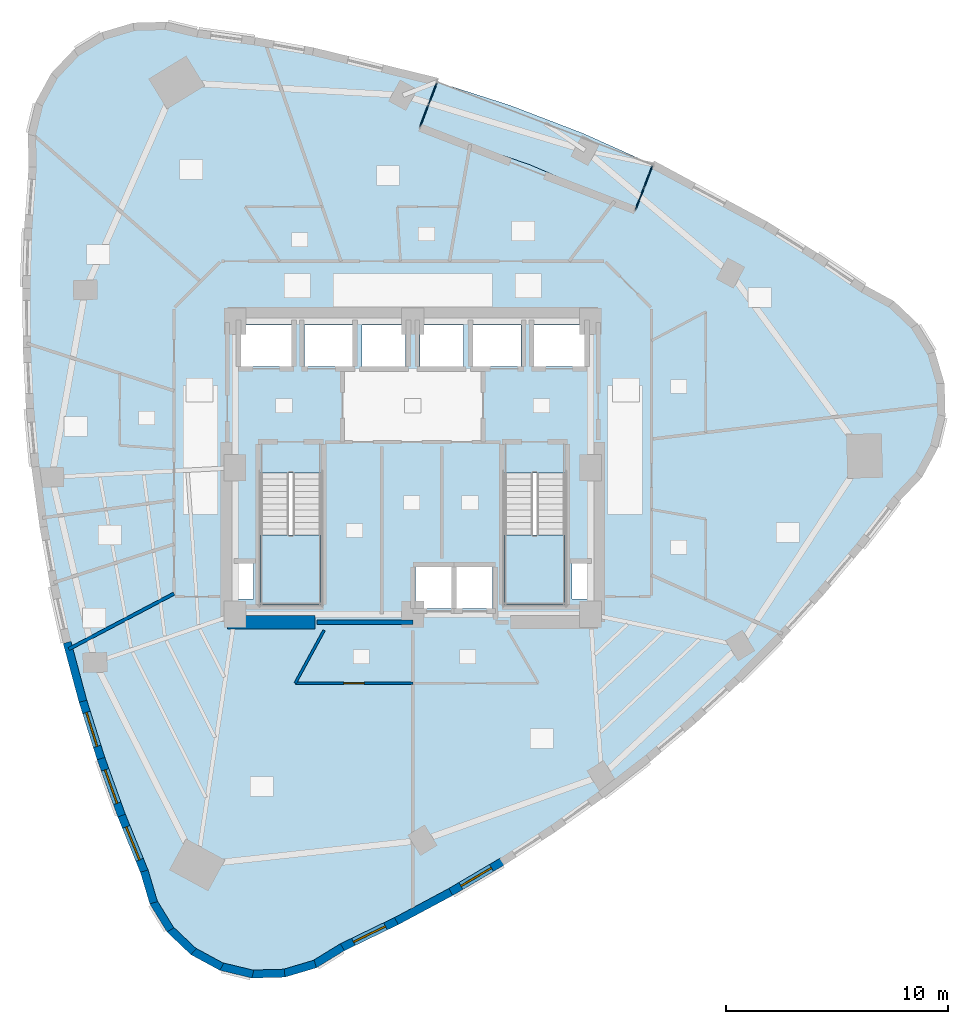
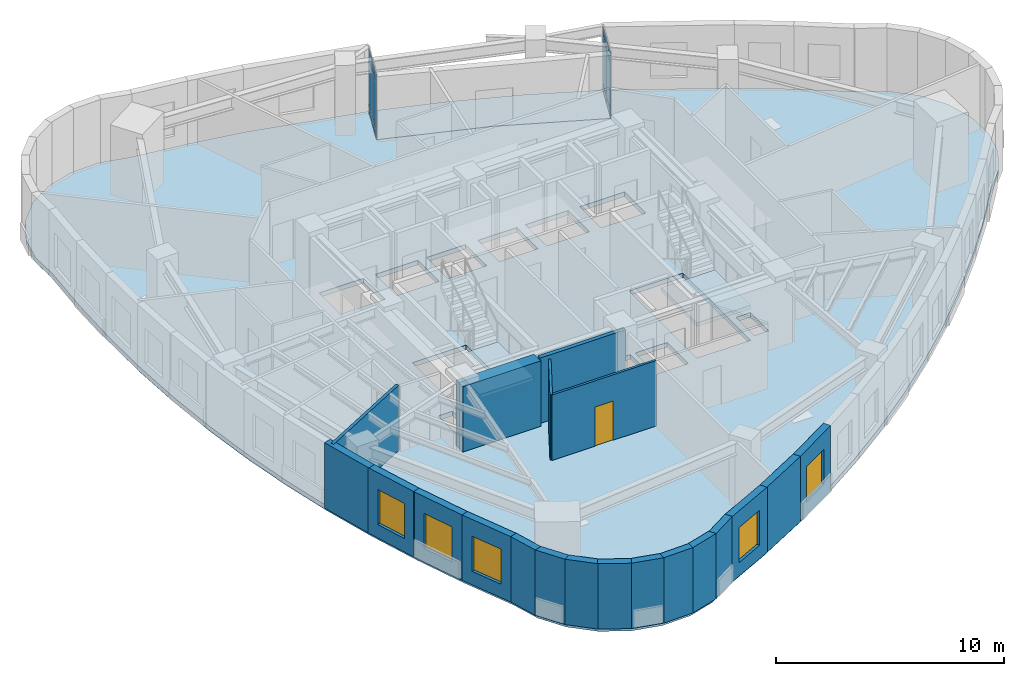
# One storey, part 5 of 12: 20 walls, 12 plates, 5 windows, 4 slabs, 1 door, 6 openings, 4 elements without a shape of their own.
"""IFC4 building model written with IfcOpenShell, lengths in metres."""

from ifc_helpers import new_model, si_unit, direction, frame, frame_2d, origin, origin_2d, place, context, subcontext, project, spatial, polyline, rectangle, outline, extrude, material, layer, layer_set, type_object, element, fill, aggregate, save


model = new_model("IFC4")

# Units and contexts
model_context = context("Model", 3, precision=1e-05, world=origin(), true_north=direction((0.0, 1.0)))
body_context = subcontext(model_context, "Body", "Model", "MODEL_VIEW")
ifc_project = project(units=[si_unit("LENGTHUNIT", "METRE"), si_unit("AREAUNIT", "SQUARE_METRE"), si_unit("VOLUMEUNIT", "CUBIC_METRE"), si_unit("PLANEANGLEUNIT", "RADIAN"), si_unit("MASSUNIT", "GRAM", prefix="KILO")], contexts=[model_context])

# Site, building, storey
site_placement = place(None, origin())
site = spatial("IfcSite", under=ifc_project, at=site_placement, CompositionType="ELEMENT")
building_placement = place(site_placement, origin())
building = spatial("IfcBuilding", under=site, at=building_placement, Name="Ndelora Gate Hotel", CompositionType="ELEMENT")
storey_placement = place(building_placement, frame((0.0, 0.0, 161.0)))
storey = spatial("IfcBuildingStorey", under=building, at=storey_placement, Name="L40", CompositionType="ELEMENT", Elevation=161.0)

# Curtain wall, plates
ifc_material_1 = material(Name="Bronze Anodised Unitised Aluminium and Low-E Glass", Category="aluminium")
ifc_layer_1 = layer(ifc_material_1, 0.199951171875)
ifc_layer_set_1 = layer_set([ifc_layer_1], Name="Bronze Anodised Unitised Aluminium and Low-E Glass")
curtain_wall_type = type_object("IfcCurtainWallType", Name="CW-SYS-3", PredefinedType="NOTDEFINED", material=ifc_layer_set_1)
curtain_wall_1_placement = place(storey_placement, origin())
curtain_wall_1 = element("IfcCurtainWall", 1, at=curtain_wall_1_placement, inside=storey, type_object=curtain_wall_type, Name="L40 Sky-Garden Loggia Side Curtain Wall CW3-1", PredefinedType="NOTDEFINED")
ifc_material_2 = material(Name="Solar-Control Low-E Insulated Glazing", Category="glass")
ifc_layer_2 = layer(ifc_material_2, 0.048095703125)
ifc_layer_set_2 = layer_set([ifc_layer_2], Name="Solar-Control Low-E Insulated Glazing")
plate_type = type_object("IfcPlateType", Name="PL-CW-GLZ36", PredefinedType="CURTAIN_PANEL", material=ifc_layer_set_2)
plate_1_placement = place(storey_placement, frame((10.2236328125, 12.123291015625, 0.05908203125), z_axis=(0.0, 0.0, 1.0), x_axis=(0.358360683234, 0.93358321574, 0.0)))
plate_1 = element("IfcPlate", 2, at=plate_1_placement, type_object=plate_type, Name="CW3 panel 1.1", PredefinedType="CURTAIN_PANEL", context=body_context, shape_type="SweptSolid", body=[
    extrude(rectangle(XDim=1.014404296875, YDim=0.048095703125, at=origin_2d()), origin(), (0.0, 0.0, 1.0), 0.364501953125),
])
plate_2_placement = place(storey_placement, frame((10.2236328125, 12.123291015625, 0.4765625), z_axis=(0.0, 0.0, 1.0), x_axis=(0.358360683234, 0.93358321574, 0.0)))
plate_2 = element("IfcPlate", 3, at=plate_2_placement, type_object=plate_type, Name="CW3 panel 1.2", PredefinedType="CURTAIN_PANEL", context=body_context, shape_type="SweptSolid", body=[
    extrude(rectangle(XDim=1.014404296875, YDim=0.048095703125, at=origin_2d()), origin(), (0.0, 0.0, 1.0), 2.447021484375),
])
plate_3_placement = place(storey_placement, frame((10.2236328125, 12.123291015625, 2.9765625), z_axis=(0.0, 0.0, 1.0), x_axis=(0.358360683234, 0.93358321574, 0.0)))
plate_3 = element("IfcPlate", 4, at=plate_3_placement, type_object=plate_type, Name="CW3 panel 1.3", PredefinedType="CURTAIN_PANEL", context=body_context, shape_type="SweptSolid", body=[
    extrude(rectangle(XDim=1.014404296875, YDim=0.048095703125, at=origin_2d()), origin(), (0.0, 0.0, 1.0), 0.464599609375),
])
plate_4_placement = place(storey_placement, frame((10.606201171875, 13.119873046875, 0.05908203125), z_axis=(0.0, 0.0, 1.0), x_axis=(0.358360683234, 0.93358321574, 0.0)))
plate_4 = element("IfcPlate", 5, at=plate_4_placement, type_object=plate_type, Name="CW3 panel 2.1", PredefinedType="CURTAIN_PANEL", context=body_context, shape_type="SweptSolid", body=[
    extrude(rectangle(XDim=1.014404296875, YDim=0.048095703125, at=origin_2d()), origin(), (0.0, 0.0, 1.0), 0.364501953125),
])
plate_5_placement = place(storey_placement, frame((10.606201171875, 13.119873046875, 0.4765625), z_axis=(0.0, 0.0, 1.0), x_axis=(0.358360683234, 0.93358321574, 0.0)))
plate_5 = element("IfcPlate", 6, at=plate_5_placement, type_object=plate_type, Name="CW3 panel 2.2", PredefinedType="CURTAIN_PANEL", context=body_context, shape_type="SweptSolid", body=[
    extrude(rectangle(XDim=1.014404296875, YDim=0.048095703125, at=origin_2d()), origin(), (0.0, 0.0, 1.0), 2.447021484375),
])
plate_6_placement = place(storey_placement, frame((10.606201171875, 13.119873046875, 2.9765625), z_axis=(0.0, 0.0, 1.0), x_axis=(0.358360683234, 0.93358321574, 0.0)))
plate_6 = element("IfcPlate", 7, at=plate_6_placement, type_object=plate_type, Name="CW3 panel 2.3", PredefinedType="CURTAIN_PANEL", context=body_context, shape_type="SweptSolid", body=[
    extrude(rectangle(XDim=1.014404296875, YDim=0.048095703125, at=origin_2d()), origin(), (0.0, 0.0, 1.0), 0.464599609375),
])
aggregate(curtain_wall_1, [plate_1, plate_2, plate_3, plate_4, plate_5, plate_6])

curtain_wall_2_placement = place(storey_placement, origin())
curtain_wall_2 = element("IfcCurtainWall", 8, at=curtain_wall_2_placement, inside=storey, type_object=curtain_wall_type, Name="L40 Sky-Garden Loggia Side Curtain Wall CW3-2", PredefinedType="NOTDEFINED")
plate_7_placement = place(storey_placement, frame((0.89697265625, 16.846923828125, 0.05908203125), z_axis=(0.0, 0.0, 1.0), x_axis=(-0.35837589096, -0.933577378035, 0.0)))
plate_7 = element("IfcPlate", 9, at=plate_7_placement, type_object=plate_type, Name="CW3 panel 1.1", PredefinedType="CURTAIN_PANEL", context=body_context, shape_type="SweptSolid", body=[
    extrude(rectangle(XDim=1.014404296875, YDim=0.048095703125, at=origin_2d()), origin(), (0.0, 0.0, 1.0), 0.364501953125),
])
plate_8_placement = place(storey_placement, frame((0.89697265625, 16.846923828125, 0.4765625), z_axis=(0.0, 0.0, 1.0), x_axis=(-0.35837589096, -0.933577378035, 0.0)))
plate_8 = element("IfcPlate", 10, at=plate_8_placement, type_object=plate_type, Name="CW3 panel 1.2", PredefinedType="CURTAIN_PANEL", context=body_context, shape_type="SweptSolid", body=[
    extrude(rectangle(XDim=1.014404296875, YDim=0.048095703125, at=origin_2d()), origin(), (0.0, 0.0, 1.0), 2.447021484375),
])
plate_9_placement = place(storey_placement, frame((0.89697265625, 16.846923828125, 2.9765625), z_axis=(0.0, 0.0, 1.0), x_axis=(-0.35837589096, -0.933577378035, 0.0)))
plate_9 = element("IfcPlate", 11, at=plate_9_placement, type_object=plate_type, Name="CW3 panel 1.3", PredefinedType="CURTAIN_PANEL", context=body_context, shape_type="SweptSolid", body=[
    extrude(rectangle(XDim=1.014404296875, YDim=0.048095703125, at=origin_2d()), origin(), (0.0, 0.0, 1.0), 0.464599609375),
])
plate_10_placement = place(storey_placement, frame((0.514404296875, 15.850341796875, 0.05908203125), z_axis=(0.0, 0.0, 1.0), x_axis=(-0.35837589096, -0.933577378035, 0.0)))
plate_10 = element("IfcPlate", 12, at=plate_10_placement, type_object=plate_type, Name="CW3 panel 2.1", PredefinedType="CURTAIN_PANEL", context=body_context, shape_type="SweptSolid", body=[
    extrude(rectangle(XDim=1.014404296875, YDim=0.048095703125, at=origin_2d()), origin(), (0.0, 0.0, 1.0), 0.364501953125),
])
plate_11_placement = place(storey_placement, frame((0.514404296875, 15.850341796875, 0.4765625), z_axis=(0.0, 0.0, 1.0), x_axis=(-0.35837589096, -0.933577378035, 0.0)))
plate_11 = element("IfcPlate", 13, at=plate_11_placement, type_object=plate_type, Name="CW3 panel 2.2", PredefinedType="CURTAIN_PANEL", context=body_context, shape_type="SweptSolid", body=[
    extrude(rectangle(XDim=1.014404296875, YDim=0.048095703125, at=origin_2d()), origin(), (0.0, 0.0, 1.0), 2.447021484375),
])
plate_12_placement = place(storey_placement, frame((0.514404296875, 15.850341796875, 2.9765625), z_axis=(0.0, 0.0, 1.0), x_axis=(-0.35837589096, -0.933577378035, 0.0)))
plate_12 = element("IfcPlate", 14, at=plate_12_placement, type_object=plate_type, Name="CW3 panel 2.3", PredefinedType="CURTAIN_PANEL", context=body_context, shape_type="SweptSolid", body=[
    extrude(rectangle(XDim=1.014404296875, YDim=0.048095703125, at=origin_2d()), origin(), (0.0, 0.0, 1.0), 0.464599609375),
])
aggregate(curtain_wall_2, [plate_7, plate_8, plate_9, plate_10, plate_11, plate_12])

# Stair, slab
ifc_material_3 = material(Name="Precast concrete C40/50", Category="concrete")
stair_type = type_object("IfcStairType", Name="STR-DOG-CORE", PredefinedType="HALF_TURN_STAIR", material=ifc_material_3)
stair_1_placement = place(storey_placement, origin())
stair_1 = element("IfcStair", 15, at=stair_1_placement, inside=storey, type_object=stair_type, Name="L40 Protected Core Exit Stair ST4", PredefinedType="HALF_TURN_STAIR")
ifc_layer_3 = layer(ifc_material_3, 0.219970703125)
ifc_layer_set_3 = layer_set([ifc_layer_3], Name="Precast concrete C40/50")
slab_type_1 = type_object("IfcSlabType", Name="SL-LAND-220", PredefinedType="LANDING", material=ifc_layer_set_3)
slab_1_placement = place(storey_placement, frame((0.0, 0.0, 1.675048828125)))
slab_1 = element("IfcSlab", 16, at=slab_1_placement, type_object=slab_type_1, Name="ST4 landing 1", PredefinedType="LANDING", context=body_context, shape_type="SweptSolid", body=[
    extrude(outline(polyline([(-6.85009765625, -3.030029296875), (-6.85009765625, -6.14990234375), (-4.1298828125, -6.14990234375), (-4.1298828125, -3.030029296875), (-6.85009765625, -3.030029296875)])), origin(), (0.0, 0.0, 1.0), 0.199951171875),
])
aggregate(stair_1, [slab_1])

stair_2_placement = place(storey_placement, origin())
stair_2 = element("IfcStair", 17, at=stair_2_placement, inside=storey, type_object=stair_type, Name="L40 Protected Core Exit Stair ST5", PredefinedType="HALF_TURN_STAIR")
slab_2_placement = place(storey_placement, frame((0.0, 0.0, 1.675048828125)))
slab_2 = element("IfcSlab", 18, at=slab_2_placement, type_object=slab_type_1, Name="ST5 landing 1", PredefinedType="LANDING", context=body_context, shape_type="SweptSolid", body=[
    extrude(outline(polyline([(4.1298828125, -3.030029296875), (4.1298828125, -6.14990234375), (6.85009765625, -6.14990234375), (6.85009765625, -3.030029296875), (4.1298828125, -3.030029296875)])), origin(), (0.0, 0.0, 1.0), 0.199951171875),
])
aggregate(stair_2, [slab_2])

# Slabs
ifc_layer_4 = layer(ifc_material_3, 0.239990234375)
ifc_layer_set_4 = layer_set([ifc_layer_4], Name="Precast concrete C40/50")
slab_type_2 = type_object("IfcSlabType", Name="SL-TER-240", PredefinedType="FLOOR", material=ifc_layer_set_4)
slab_3_placement = place(storey_placement, frame((0.0, 0.0, -0.239990234375)))
element("IfcSlab", 19, at=slab_3_placement, inside=storey, type_object=slab_type_2, Name="L40 Sky Garden Loggia Terrace Slab", PredefinedType="FLOOR", context=body_context, shape_type="SweptSolid", body=[
    extrude(outline(polyline([(10.020751953125, 11.594482421875), (10.80908203125, 13.6484375), (7.673095703125, 15.0556640625), (4.371826171875, 16.32275390625), (1.099853515625, 17.37548828125), (0.3115234375, 15.32177734375), (5.242919921875, 13.658447265625), (10.020751953125, 11.594482421875)])), origin(), (0.0, 0.0, 1.0), 0.239990234375),
])
ifc_material_4 = material(Name="Concrete C40/50", Category="concrete")
ifc_layer_5 = layer(ifc_material_4, 0.25)
ifc_layer_set_5 = layer_set([ifc_layer_5], Name="Concrete C40/50")
slab_type_3 = type_object("IfcSlabType", Name="SL-TWR-250", PredefinedType="FLOOR", material=ifc_layer_set_5)
slab_4_placement = place(storey_placement, frame((0.0, 0.0, -0.25)))
element("IfcSlab", 20, at=slab_4_placement, inside=storey, type_object=slab_type_3, Name="L40 Structural Floor Slab", PredefinedType="FLOOR", context=body_context, shape_type="SweptSolid", body=[
    extrude(outline(polyline([(-9.70947265625, 19.558837890625), (-11.10546875, 19.89404296875), (-12.540771484375, 19.8564453125), (-13.91748046875, 19.448486328125), (-15.1416015625, 18.698486328125), (-16.1298828125, 17.656982421875), (-16.815185546875, 16.39501953125), (-17.150390625, 14.9990234375), (-17.11279296875, 13.563720703125), (-17.312255859375, 10.819580078125), (-17.3994140625, 8.093505859375), (-17.3740234375, 5.38525390625), (-17.236083984375, 2.69482421875), (-16.98583984375, 0.022216796875), (-16.623046875, -2.6328125), (-16.147705078125, -5.27001953125), (-15.559814453125, -7.88916015625), (-14.859619140625, -10.490478515625), (-14.046630859375, -13.07421875), (-13.12158203125, -15.639892578125), (-12.083740234375, -18.18798828125), (-11.67578125, -19.564697265625), (-10.92578125, -20.788818359375), (-9.88427734375, -21.777099609375), (-8.62255859375, -22.46240234375), (-7.226318359375, -22.79736328125), (-5.791015625, -22.760009765625), (-4.414306640625, -22.35205078125), (-3.190185546875, -21.601806640625), (-0.714111328125, -20.402587890625), (1.6904296875, -19.114990234375), (4.023193359375, -17.739013671875), (6.2841796875, -16.2744140625), (8.473876953125, -14.72119140625), (10.591552734375, -13.07958984375), (12.6376953125, -11.349365234375), (14.612060546875, -9.530517578125), (16.514892578125, -7.623291015625), (18.345947265625, -5.627685546875), (20.105224609375, -3.54345703125), (21.793212890625, -1.370849609375), (22.781494140625, -0.329345703125), (23.466552734375, 0.9326171875), (23.8017578125, 2.32861328125), (23.76416015625, 3.763916015625), (23.356201171875, 5.140380859375), (22.606201171875, 6.36474609375), (21.564697265625, 7.35302734375), (20.302734375, 8.0380859375), (18.1181640625, 9.523193359375), (15.895751953125, 10.910400390625), (10.80908203125, 13.6484375), (10.020751953125, 11.594482421875), (5.242919921875, 13.658447265625), (0.3115234375, 15.32177734375), (1.099853515625, 17.37548828125), (-4.512451171875, 18.744384765625), (-7.092041015625, 19.20068359375), (-9.70947265625, 19.558837890625)]), holes=[polyline([(-6.85009765625, -0.22998046875), (-6.85009765625, -6.14990234375), (-4.1298828125, -6.14990234375), (-4.1298828125, -0.22998046875), (-6.85009765625, -0.22998046875)]), polyline([(4.1298828125, -0.22998046875), (4.1298828125, -6.14990234375), (6.85009765625, -6.14990234375), (6.85009765625, -0.22998046875), (4.1298828125, -0.22998046875)]), polyline([(-7.72998046875, 4.570068359375), (-5.469970703125, 4.570068359375), (-5.469970703125, 6.429931640625), (-7.72998046875, 6.429931640625), (-7.72998046875, 4.570068359375)]), polyline([(5.469970703125, 4.570068359375), (7.72998046875, 4.570068359375), (7.72998046875, 6.429931640625), (5.469970703125, 6.429931640625), (5.469970703125, 4.570068359375)]), polyline([(-4.8798828125, 4.570068359375), (-2.719970703125, 4.570068359375), (-2.719970703125, 6.429931640625), (-4.8798828125, 6.429931640625), (-4.8798828125, 4.570068359375)]), polyline([(2.719970703125, 4.570068359375), (4.8798828125, 4.570068359375), (4.8798828125, 6.429931640625), (2.719970703125, 6.429931640625), (2.719970703125, 4.570068359375)]), polyline([(0.1201171875, -6.330078125), (1.739990234375, -6.330078125), (1.739990234375, -4.469970703125), (0.1201171875, -4.469970703125), (0.1201171875, -6.330078125)]), polyline([(1.97998046875, -6.330078125), (3.60009765625, -6.330078125), (3.60009765625, -4.469970703125), (1.97998046875, -4.469970703125), (1.97998046875, -6.330078125)]), polyline([(-2.280029296875, 4.570068359375), (-0.320068359375, 4.570068359375), (-0.320068359375, 6.429931640625), (-2.280029296875, 6.429931640625), (-2.280029296875, 4.570068359375)]), polyline([(0.320068359375, 4.570068359375), (2.280029296875, 4.570068359375), (2.280029296875, 6.429931640625), (0.320068359375, 6.429931640625), (0.320068359375, 4.570068359375)]), polyline([(-7.89990234375, -5.919921875), (-7.179931640625, -5.919921875), (-7.179931640625, -4.320068359375), (-7.89990234375, -4.320068359375), (-7.89990234375, -5.919921875)]), polyline([(7.179931640625, -5.919921875), (7.89990234375, -5.919921875), (7.89990234375, -4.320068359375), (7.179931640625, -4.320068359375), (7.179931640625, -5.919921875)])]), origin(), (0.0, 0.0, 1.0), 0.25),
])

# Wall
ifc_material_5 = material(Name="Clay Brick Masonry", Category="masonry")
ifc_layer_6 = layer(ifc_material_5, 0.360107421875)
ifc_layer_set_6 = layer_set([ifc_layer_6], Name="Clay Brick Masonry")
wall_type_1 = type_object("IfcWallType", Name="WL-BRICK-360", PredefinedType="SOLIDWALL", material=ifc_layer_set_6)
wall_1_placement = place(storey_placement, frame((-14.85302734375, -10.5146484375, 0.0), z_axis=(0.0, 0.0, 1.0), x_axis=(-0.259976664172, 0.965614899474, 0.0)))
element("IfcWall", 21, at=wall_1_placement, inside=storey, type_object=wall_type_1, Name="L40 Tower Brick Pier-and-Spandrel Wall TWR-17", PredefinedType="SOLIDWALL", context=body_context, shape_type="SweptSolid", body=[
    extrude(rectangle(XDim=2.743896484375, YDim=0.360107421875, at=frame_2d((1.3720703125, 0.0))), origin(), (0.0, 0.0, 1.0), 3.5),
])

# Wall, opening, window
wall_2_placement = place(storey_placement, frame((-14.039306640625, -13.097900390625, 0.0), z_axis=(0.0, 0.0, 1.0), x_axis=(-0.300063656013, 0.953919180193, 0.0)))
wall_2 = element("IfcWall", 22, at=wall_2_placement, inside=storey, type_object=wall_type_1, Name="L40 Tower Brick Pier-and-Spandrel Wall TWR-18", PredefinedType="SOLIDWALL", context=body_context, shape_type="SweptSolid", body=[
    extrude(rectangle(XDim=2.75830078125, YDim=0.360107421875, at=frame_2d((1.379150390625, 0.0))), origin(), (0.0, 0.0, 1.0), 3.5),
])
opening_1_placement = place(wall_2_placement, frame((0.5791015625, 0.0, 0.719970703125)))
opening_1 = element("IfcOpeningElement", 23, at=opening_1_placement, cuts=wall_2, Name="Opening W01", PredefinedType="OPENING", context=body_context, shape_type="SweptSolid", body=[
    extrude(rectangle(XDim=1.60009765625, YDim=1.8798828125, at=frame_2d((0.800048828125, 0.93994140625))), frame((0.0, 0.18994140625, 0.0), z_axis=(0.0, -1.0, 0.0), x_axis=(1.0, 0.0, 0.0)), (0.0, 0.0, 1.0), 0.380126953125),
])
ifc_material_6 = material(Name="Insulated Low-E Double Glazing in Bronze Aluminium Frame", Category="aluminium")
window_type_1 = type_object("IfcWindowType", Name="WN-DEEP-1600", PartitioningType="SINGLE_PANEL", PredefinedType="WINDOW", material=ifc_material_6)
window_1_placement = place(opening_1_placement, origin())
window_1 = element("IfcWindow", 24, at=window_1_placement, inside=storey, type_object=window_type_1, Name="L40 Deep-Set Brick-Pier Window W01", OverallHeight=1.8798828125, OverallWidth=1.60009765625, PartitioningType="SINGLE_PANEL", PredefinedType="WINDOW", context=body_context, shape_type="SweptSolid", body=[
    extrude(rectangle(XDim=1.60009765625, YDim=1.8798828125, at=frame_2d((0.800048828125, 0.93994140625))), frame((0.0, 0.030029296875, 0.0), z_axis=(0.0, -1.0, 0.0), x_axis=(1.0, 0.0, 0.0)), (0.0, 0.0, 1.0), 0.06005859375),
])
fill(opening_1, window_1)

wall_3_placement = place(storey_placement, frame((-13.113037109375, -15.66357421875, 0.0), z_axis=(0.0, 0.0, 1.0), x_axis=(-0.339208104653, 0.940711359418, 0.0)))
wall_3 = element("IfcWall", 25, at=wall_3_placement, inside=storey, type_object=wall_type_1, Name="L40 Tower Brick Pier-and-Spandrel Wall TWR-19", PredefinedType="SOLIDWALL", context=body_context, shape_type="SweptSolid", body=[
    extrude(rectangle(XDim=2.77734375, YDim=0.360107421875, at=frame_2d((1.388671875, 0.0))), origin(), (0.0, 0.0, 1.0), 3.5),
])
opening_2_placement = place(wall_3_placement, frame((0.5888671875, 0.0, 0.719970703125)))
opening_2 = element("IfcOpeningElement", 26, at=opening_2_placement, cuts=wall_3, Name="Opening W01", PredefinedType="OPENING", context=body_context, shape_type="SweptSolid", body=[
    extrude(rectangle(XDim=1.60009765625, YDim=1.8798828125, at=frame_2d((0.800048828125, 0.93994140625))), frame((0.0, 0.18994140625, 0.0), z_axis=(0.0, -1.0, 0.0), x_axis=(1.0, 0.0, 0.0)), (0.0, 0.0, 1.0), 0.380126953125),
])
window_2_placement = place(opening_2_placement, origin())
window_2 = element("IfcWindow", 27, at=window_2_placement, inside=storey, type_object=window_type_1, Name="L40 Deep-Set Brick-Pier Window W01", OverallHeight=1.8798828125, OverallWidth=1.60009765625, PartitioningType="SINGLE_PANEL", PredefinedType="WINDOW", context=body_context, shape_type="SweptSolid", body=[
    extrude(rectangle(XDim=1.60009765625, YDim=1.8798828125, at=frame_2d((0.800048828125, 0.93994140625))), frame((0.0, 0.030029296875, 0.0), z_axis=(0.0, -1.0, 0.0), x_axis=(1.0, 0.0, 0.0)), (0.0, 0.0, 1.0), 0.06005859375),
])
fill(opening_2, window_2)

wall_4_placement = place(storey_placement, frame((-12.07421875, -18.211181640625, 0.0), z_axis=(0.0, 0.0, 1.0), x_axis=(-0.377183384967, 0.926138593357, 0.0)))
wall_4 = element("IfcWall", 28, at=wall_4_placement, inside=storey, type_object=wall_type_1, Name="L40 Tower Brick Pier-and-Spandrel Wall TWR-20", PredefinedType="SOLIDWALL", context=body_context, shape_type="SweptSolid", body=[
    extrude(rectangle(XDim=2.801513671875, YDim=0.360107421875, at=frame_2d((1.40087890625, 0.0))), origin(), (0.0, 0.0, 1.0), 3.5),
])
opening_3_placement = place(wall_4_placement, frame((0.6005859375, 0.0, 0.719970703125)))
opening_3 = element("IfcOpeningElement", 29, at=opening_3_placement, cuts=wall_4, Name="Opening W01", PredefinedType="OPENING", context=body_context, shape_type="SweptSolid", body=[
    extrude(rectangle(XDim=1.60009765625, YDim=1.8798828125, at=frame_2d((0.800048828125, 0.93994140625))), frame((0.0, 0.18994140625, 0.0), z_axis=(0.0, -1.0, 0.0), x_axis=(1.0, 0.0, 0.0)), (0.0, 0.0, 1.0), 0.380126953125),
])
window_3_placement = place(opening_3_placement, origin())
window_3 = element("IfcWindow", 30, at=window_3_placement, inside=storey, type_object=window_type_1, Name="L40 Deep-Set Brick-Pier Window W01", OverallHeight=1.8798828125, OverallWidth=1.60009765625, PartitioningType="SINGLE_PANEL", PredefinedType="WINDOW", context=body_context, shape_type="SweptSolid", body=[
    extrude(rectangle(XDim=1.60009765625, YDim=1.8798828125, at=frame_2d((0.800048828125, 0.93994140625))), frame((0.0, 0.030029296875, 0.0), z_axis=(0.0, -1.0, 0.0), x_axis=(1.0, 0.0, 0.0)), (0.0, 0.0, 1.0), 0.06005859375),
])
fill(opening_3, window_3)

# Walls
for number, where, z_axis, x_axis, name in (
    (31, (-11.668701171875, -19.588623046875, 0.0), (0.0, 0.0, 1.0), (-0.284105113664, 0.95879313952, 0.0), "L40 Tower Brick Pier-and-Spandrel Wall TWR-21"),
    (32, (-10.91259765625, -20.81005859375, 0.0), (0.0, 0.0, 1.0), (-0.522519673624, 0.852627228439, 0.0), "L40 Tower Brick Pier-and-Spandrel Wall TWR-22"),
    (33, (-9.8662109375, -21.79443359375, 0.0), (0.0, 0.0, 1.0), (-0.725270134981, 0.688464400899, 0.0), "L40 Tower Brick Pier-and-Spandrel Wall TWR-23"),
):
    element("IfcWall", number, at=place(storey_placement, frame(where, z_axis=z_axis, x_axis=x_axis)), inside=storey, type_object=wall_type_1, Name=name, PredefinedType="SOLIDWALL", context=body_context, shape_type="SweptSolid", body=[
        extrude(rectangle(XDim=1.48583984375, YDim=0.360107421875, at=frame_2d((0.742919921875, 0.0))), origin(), (0.0, 0.0, 1.0), 3.5),
    ])
wall_5_placement = place(storey_placement, frame((-8.6005859375, -22.47412109375, 0.0), z_axis=(0.0, 0.0, 1.0), x_axis=(-0.878867212286, 0.477066476677, 0.0)))
element("IfcWall", 34, at=wall_5_placement, inside=storey, type_object=wall_type_1, Name="L40 Tower Brick Pier-and-Spandrel Wall TWR-24", PredefinedType="SOLIDWALL", context=body_context, shape_type="SweptSolid", body=[
    extrude(rectangle(XDim=1.485595703125, YDim=0.360107421875, at=frame_2d((0.74267578125, 0.0))), origin(), (0.0, 0.0, 1.0), 3.5),
])
wall_6_placement = place(storey_placement, frame((-7.201904296875, -22.80322265625, 0.0), z_axis=(0.0, 0.0, 1.0), x_axis=(-0.972399232605, 0.233323235941, 0.0)))
element("IfcWall", 35, at=wall_6_placement, inside=storey, type_object=wall_type_1, Name="L40 Tower Brick Pier-and-Spandrel Wall TWR-25", PredefinedType="SOLIDWALL", context=body_context, shape_type="SweptSolid", body=[
    extrude(rectangle(XDim=1.48583984375, YDim=0.360107421875, at=frame_2d((0.742919921875, 0.0))), origin(), (0.0, 0.0, 1.0), 3.5),
])
wall_7_placement = place(storey_placement, frame((-5.76611328125, -22.75927734375, 0.0), z_axis=(0.0, 0.0, 1.0), x_axis=(-0.999658566483, -0.026129494011, 0.0)))
element("IfcWall", 36, at=wall_7_placement, inside=storey, type_object=wall_type_1, Name="L40 Tower Brick Pier-and-Spandrel Wall TWR-26", PredefinedType="SOLIDWALL", context=body_context, shape_type="SweptSolid", body=[
    extrude(rectangle(XDim=1.485595703125, YDim=0.360107421875, at=frame_2d((0.74267578125, 0.0))), origin(), (0.0, 0.0, 1.0), 3.5),
])
for number, where, z_axis, x_axis, name in (
    (37, (-4.390380859375, -22.344970703125, 0.0), (0.0, 0.0, 1.0), (-0.95879313952, -0.284105113664, 0.0), "L40 Tower Brick Pier-and-Spandrel Wall TWR-27"),
    (38, (-3.1689453125, -21.5888671875, 0.0), (0.0, 0.0, 1.0), (-0.852627228439, -0.522519673624, 0.0), "L40 Tower Brick Pier-and-Spandrel Wall TWR-28"),
):
    element("IfcWall", number, at=place(storey_placement, frame(where, z_axis=z_axis, x_axis=x_axis)), inside=storey, type_object=wall_type_1, Name=name, PredefinedType="SOLIDWALL", context=body_context, shape_type="SweptSolid", body=[
        extrude(rectangle(XDim=1.48583984375, YDim=0.360107421875, at=frame_2d((0.742919921875, 0.0))), origin(), (0.0, 0.0, 1.0), 3.5),
    ])

# Wall, opening, window
wall_8_placement = place(storey_placement, frame((-0.69140625, -20.391845703125, 0.0), z_axis=(0.0, 0.0, 1.0), x_axis=(-0.900020320683, -0.435847934902, 0.0)))
wall_8 = element("IfcWall", 39, at=wall_8_placement, inside=storey, type_object=wall_type_1, Name="L40 Tower Brick Pier-and-Spandrel Wall TWR-29", PredefinedType="SOLIDWALL", context=body_context, shape_type="SweptSolid", body=[
    extrude(rectangle(XDim=2.80126953125, YDim=0.360107421875, at=frame_2d((1.400634765625, 0.0))), origin(), (0.0, 0.0, 1.0), 3.5),
])
opening_4_placement = place(wall_8_placement, frame((0.6005859375, 0.0, 0.719970703125)))
opening_4 = element("IfcOpeningElement", 40, at=opening_4_placement, cuts=wall_8, Name="Opening W03", PredefinedType="OPENING", context=body_context, shape_type="SweptSolid", body=[
    extrude(rectangle(XDim=1.60009765625, YDim=1.8798828125, at=frame_2d((0.800048828125, 0.93994140625))), frame((0.0, 0.18994140625, 0.0), z_axis=(0.0, -1.0, 0.0), x_axis=(1.0, 0.0, 0.0)), (0.0, 0.0, 1.0), 0.380126953125),
])
window_type_2 = type_object("IfcWindowType", Name="WN-CORN-2100", PartitioningType="SINGLE_PANEL", PredefinedType="WINDOW", material=ifc_material_6)
window_4_placement = place(opening_4_placement, origin())
window_4 = element("IfcWindow", 41, at=window_4_placement, inside=storey, type_object=window_type_2, Name="L40 Deep-Set Brick-Pier Window W03", OverallHeight=1.8798828125, OverallWidth=1.60009765625, PartitioningType="SINGLE_PANEL", PredefinedType="WINDOW", context=body_context, shape_type="SweptSolid", body=[
    extrude(rectangle(XDim=1.60009765625, YDim=1.8798828125, at=frame_2d((0.800048828125, 0.93994140625))), frame((0.0, 0.030029296875, 0.0), z_axis=(0.0, -1.0, 0.0), x_axis=(1.0, 0.0, 0.0)), (0.0, 0.0, 1.0), 0.06005859375),
])
fill(opening_4, window_4)

# Wall
wall_9_placement = place(storey_placement, frame((1.71240234375, -19.103271484375, 0.0), z_axis=(0.0, 0.0, 1.0), x_axis=(-0.881541378785, -0.472106764927, 0.0)))
element("IfcWall", 42, at=wall_9_placement, inside=storey, type_object=wall_type_1, Name="L40 Tower Brick Pier-and-Spandrel Wall TWR-30", PredefinedType="SOLIDWALL", context=body_context, shape_type="SweptSolid", body=[
    extrude(rectangle(XDim=2.777587890625, YDim=0.360107421875, at=frame_2d((1.388671875, 0.0))), origin(), (0.0, 0.0, 1.0), 3.5),
])

# Wall, opening, window
wall_10_placement = place(storey_placement, frame((4.044677734375, -17.726318359375, 0.0), z_axis=(0.0, 0.0, 1.0), x_axis=(-0.861319225374, -0.508064161304, 0.0)))
wall_10 = element("IfcWall", 43, at=wall_10_placement, inside=storey, type_object=wall_type_1, Name="L40 Tower Brick Pier-and-Spandrel Wall TWR-31", PredefinedType="SOLIDWALL", context=body_context, shape_type="SweptSolid", body=[
    extrude(rectangle(XDim=2.75830078125, YDim=0.360107421875, at=frame_2d((1.379150390625, 0.0))), origin(), (0.0, 0.0, 1.0), 3.5),
])
opening_5_placement = place(wall_10_placement, frame((0.5791015625, 0.0, 0.719970703125)))
opening_5 = element("IfcOpeningElement", 44, at=opening_5_placement, cuts=wall_10, Name="Opening W01", PredefinedType="OPENING", context=body_context, shape_type="SweptSolid", body=[
    extrude(rectangle(XDim=1.60009765625, YDim=1.8798828125, at=frame_2d((0.800048828125, 0.93994140625))), frame((0.0, 0.18994140625, 0.0), z_axis=(0.0, -1.0, 0.0), x_axis=(1.0, 0.0, 0.0)), (0.0, 0.0, 1.0), 0.380126953125),
])
window_5_placement = place(opening_5_placement, origin())
window_5 = element("IfcWindow", 45, at=window_5_placement, inside=storey, type_object=window_type_1, Name="L40 Deep-Set Brick-Pier Window W01", OverallHeight=1.8798828125, OverallWidth=1.60009765625, PartitioningType="SINGLE_PANEL", PredefinedType="WINDOW", context=body_context, shape_type="SweptSolid", body=[
    extrude(rectangle(XDim=1.60009765625, YDim=1.8798828125, at=frame_2d((0.800048828125, 0.93994140625))), frame((0.0, 0.030029296875, 0.0), z_axis=(0.0, -1.0, 0.0), x_axis=(1.0, 0.0, 0.0)), (0.0, 0.0, 1.0), 0.06005859375),
])
fill(opening_5, window_5)

# Walls
ifc_material_7 = material(Name="Concrete C60/75", Category="concrete")
ifc_layer_7 = layer(ifc_material_7, 0.60009765625)
ifc_layer_set_7 = layer_set([ifc_layer_7], Name="Concrete C60/75")
wall_type_2 = type_object("IfcWallType", Name="WL-CORE-600", PredefinedType="SHEAR", material=ifc_layer_set_7)
wall_11_placement = place(storey_placement, frame((-8.35009765625, -6.949951171875, 0.0), z_axis=(0.0, 0.0, 1.0), x_axis=(1.0, 0.0, 0.0)))
element("IfcWall", 46, at=wall_11_placement, inside=storey, type_object=wall_type_2, Name="L40 Core Shear Wall S-W", PredefinedType="SHEAR", context=body_context, shape_type="SweptSolid", body=[
    extrude(rectangle(XDim=3.9501953125, YDim=0.60009765625, at=frame_2d((1.97509765625, 0.0))), origin(), (0.0, 0.0, 1.0), 3.5),
])
ifc_layer_8 = layer(ifc_material_4, 0.199951171875)
ifc_layer_set_8 = layer_set([ifc_layer_8], Name="Concrete C40/50")
wall_type_3 = type_object("IfcWallType", Name="WL-FIRE-200", PredefinedType="PARTITIONING", material=ifc_layer_set_8)
wall_12_placement = place(storey_placement, frame((-4.320068359375, -6.949951171875, 0.0), z_axis=(0.0, 0.0, 1.0), x_axis=(1.0, 0.0, 0.0)))
element("IfcWall", 47, at=wall_12_placement, inside=storey, type_object=wall_type_3, Name="L40 Interior Wall IW-2", PredefinedType="PARTITIONING", context=body_context, shape_type="SweptSolid", body=[
    extrude(rectangle(XDim=4.320068359375, YDim=0.199951171875, at=frame_2d((2.16015625, 0.0))), origin(), (0.0, 0.0, 1.0), 3.5),
])
ifc_material_8 = material(Name="Fire-Rated Gypsum Stud Partition", Category="gypsum")
ifc_layer_9 = layer(ifc_material_8, 0.14990234375)
ifc_layer_set_9 = layer_set([ifc_layer_9], Name="Fire-Rated Gypsum Stud Partition")
wall_type_4 = type_object("IfcWallType", Name="WL-PART-150", PredefinedType="PARTITIONING", material=ifc_layer_set_9)
wall_13_placement = place(storey_placement, frame((-10.75, -5.667724609375, 0.0), z_axis=(0.0, 0.0, 1.0), x_axis=(-0.884578678767, -0.466390995915, 0.0)))
element("IfcWall", 48, at=wall_13_placement, inside=storey, type_object=wall_type_4, Name="L40 Interior Wall IW-5", PredefinedType="PARTITIONING", context=body_context, shape_type="SweptSolid", body=[
    extrude(rectangle(XDim=5.353515625, YDim=0.14990234375, at=frame_2d((2.6767578125, 0.0))), origin(), (0.0, 0.0, 1.0), 3.5),
])

# Wall, opening, door
ifc_material_9 = material(Name="Moisture-Resistant Bathroom Tile Partition", Category="gypsum")
ifc_layer_10 = layer(ifc_material_9, 0.1201171875)
ifc_layer_set_10 = layer_set([ifc_layer_10], Name="Moisture-Resistant Bathroom Tile Partition")
wall_type_5 = type_object("IfcWallType", Name="WL-WET-120", PredefinedType="PARTITIONING", material=ifc_layer_set_10)
wall_14_placement = place(storey_placement, frame((0.0, -9.699951171875, 0.0), z_axis=(0.0, 0.0, 1.0), x_axis=(-1.0, 0.0, 0.0)))
wall_14 = element("IfcWall", 49, at=wall_14_placement, inside=storey, type_object=wall_type_5, Name="L40 Interior Wall IW-7", PredefinedType="PARTITIONING", context=body_context, shape_type="SweptSolid", body=[
    extrude(rectangle(XDim=5.291259765625, YDim=0.1201171875, at=frame_2d((2.6455078125, 0.0))), origin(), (0.0, 0.0, 1.0), 3.5),
])
opening_6_placement = place(wall_14_placement, frame((2.185546875, 0.0, 0.0)))
opening_6 = element("IfcOpeningElement", 50, at=opening_6_placement, cuts=wall_14, Name="Opening D03", PredefinedType="OPENING", context=body_context, shape_type="SweptSolid", body=[
    extrude(rectangle(XDim=0.919921875, YDim=2.10009765625, at=frame_2d((0.4599609375, 1.050048828125))), frame((0.0, 0.070068359375, 0.0), z_axis=(0.0, -1.0, 0.0), x_axis=(1.0, 0.0, 0.0)), (0.0, 0.0, 1.0), 0.14013671875),
])
ifc_material_10 = material(Name="Moisture-Resistant Hardwood En-Suite Door", Category="wood")
door_type = type_object("IfcDoorType", Name="DR-BATH-920", OperationType="SINGLE_SWING_LEFT", PredefinedType="DOOR", material=ifc_material_10)
door_placement = place(opening_6_placement, origin())
door = element("IfcDoor", 51, at=door_placement, inside=storey, type_object=door_type, Name="L40 En-suite Bathroom 4301 Door", OperationType="SINGLE_SWING_RIGHT", OverallHeight=2.10009765625, OverallWidth=0.919921875, PredefinedType="DOOR", context=body_context, shape_type="SweptSolid", body=[
    extrude(rectangle(XDim=0.919921875, YDim=2.10009765625, at=frame_2d((0.4599609375, 1.050048828125))), frame((0.0, 0.02490234375, 0.0), z_axis=(0.0, -1.0, 0.0), x_axis=(1.0, 0.0, 0.0)), (0.0, 0.0, 1.0), 0.050048828125),
])
fill(opening_6, door)

# Wall
wall_15_placement = place(storey_placement, frame((-3.992919921875, -7.320068359375, 0.0), z_axis=(0.0, 0.0, 1.0), x_axis=(-0.478915225664, -0.877861154527, 0.0)))
element("IfcWall", 52, at=wall_15_placement, inside=storey, type_object=wall_type_5, Name="L40 Interior Wall IW-7", PredefinedType="PARTITIONING", context=body_context, shape_type="SweptSolid", body=[
    extrude(rectangle(XDim=2.7109375, YDim=0.1201171875, at=frame_2d((1.35546875, 0.0))), origin(), (0.0, 0.0, 1.0), 3.5),
])

save(model, "model.ifc")
